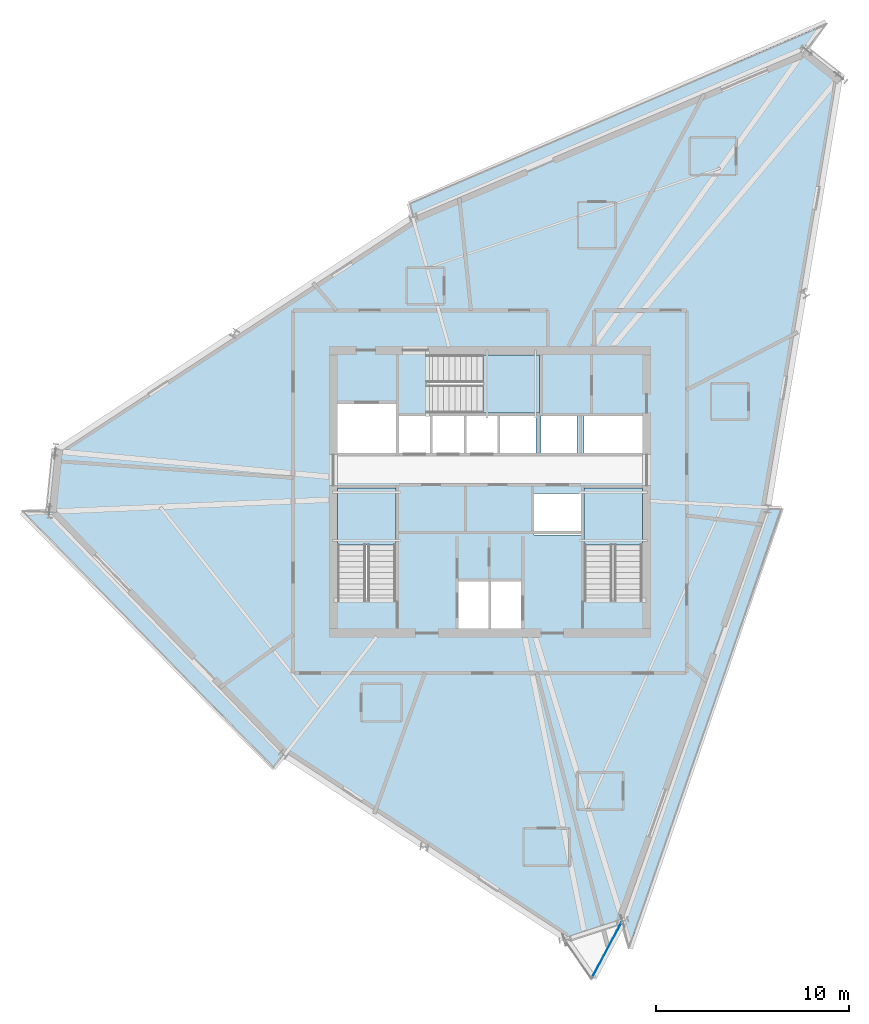
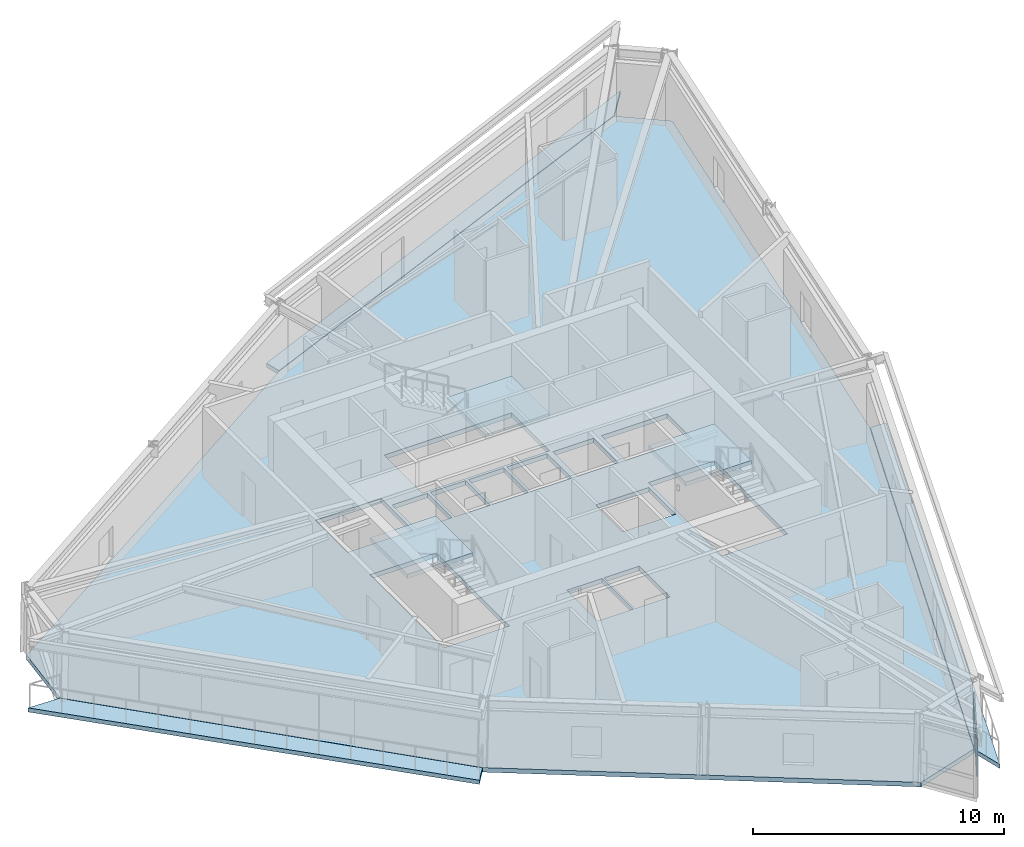
# One storey, part 4 of 13: 7 slabs, 1 plate, 4 elements without a shape of their own.
"""IFC4 building model written with IfcOpenShell, lengths in metres."""

from ifc_helpers import new_model, si_unit, direction, frame, origin, origin_2d, place, context, subcontext, project, spatial, polyline, rectangle, outline, extrude, source, transform, mapped, material, layer, layer_set, type_object, element, aggregate, save


model = new_model("IFC4")

# Units and contexts
model_context = context("Model", 3, precision=1e-05, world=origin(), true_north=direction((0.0, 1.0)))
body_context = subcontext(model_context, "Body", "Model", "MODEL_VIEW")
ifc_project = project(units=[si_unit("LENGTHUNIT", "METRE"), si_unit("AREAUNIT", "SQUARE_METRE"), si_unit("VOLUMEUNIT", "CUBIC_METRE"), si_unit("PLANEANGLEUNIT", "RADIAN"), si_unit("MASSUNIT", "GRAM", prefix="KILO")], contexts=[model_context])

# Site, building, storey
site_placement = place(None, origin())
site = spatial("IfcSite", under=ifc_project, at=site_placement, CompositionType="ELEMENT")
building_placement = place(site_placement, origin())
building = spatial("IfcBuilding", under=site, at=building_placement, Name="Olszyna Solenne Hotel", CompositionType="ELEMENT")
storey_placement = place(building_placement, frame((0.0, 0.0, 248.89990234375)))
storey = spatial("IfcBuildingStorey", under=building, at=storey_placement, Name="L66", CompositionType="ELEMENT", Elevation=248.89990234375)

# Stair, slab
ifc_material_1 = material(Name="Concrete C40/50", Category="concrete")
stair_type = type_object("IfcStairType", Name="STR-C1", PredefinedType="TWO_QUARTER_WINDING_STAIR", material=ifc_material_1)
stair_1_placement = place(storey_placement, origin())
stair_1 = element("IfcStair", 1, at=stair_1_placement, inside=storey, type_object=stair_type, Name="L66 ST1", PredefinedType="TWO_QUARTER_WINDING_STAIR")
ifc_layer_1 = layer(ifc_material_1, 0.18994140625, Name="Concrete C40/50")
ifc_layer_set_1 = layer_set([ifc_layer_1], Name="Concrete C40/50")
slab_type_1 = type_object("IfcSlabType", Name="SL-LN190", PredefinedType="LANDING", material=ifc_layer_set_1)
slab_1_placement = place(storey_placement, frame((0.0, 0.0, 1.60009765625)))
slab_1 = element("IfcSlab", 2, at=slab_1_placement, type_object=slab_type_1, Name="ST1 landing 1", PredefinedType="LANDING", context=body_context, shape_type="SweptSolid", body=[
    extrude(outline(polyline([(33.1201171875, 23.85009765625), (33.1201171875, 26.800048828125), (30.10009765625, 26.800048828125), (30.10009765625, 23.85009765625), (33.1201171875, 23.85009765625)])), origin(), (0.0, 0.0, 1.0), 0.199951171875),
])
aggregate(stair_1, [slab_1])

stair_2_placement = place(storey_placement, origin())
stair_2 = element("IfcStair", 3, at=stair_2_placement, inside=storey, type_object=stair_type, Name="L66 ST2", PredefinedType="TWO_QUARTER_WINDING_STAIR")
slab_2_placement = place(storey_placement, frame((0.0, 0.0, 1.60009765625)))
slab_2 = element("IfcSlab", 4, at=slab_2_placement, type_object=slab_type_1, Name="ST2 landing 1", PredefinedType="LANDING", context=body_context, shape_type="SweptSolid", body=[
    extrude(outline(polyline([(45.89990234375, 23.85009765625), (45.89990234375, 26.800048828125), (42.8798828125, 26.800048828125), (42.8798828125, 23.85009765625), (45.89990234375, 23.85009765625)])), origin(), (0.0, 0.0, 1.0), 0.199951171875),
])
aggregate(stair_2, [slab_2])

stair_3_placement = place(storey_placement, origin())
stair_3 = element("IfcStair", 5, at=stair_3_placement, inside=storey, type_object=stair_type, Name="L66 ST3", PredefinedType="TWO_QUARTER_WINDING_STAIR")
slab_3_placement = place(storey_placement, frame((0.0, 0.0, 1.60009765625)))
slab_3 = element("IfcSlab", 6, at=slab_3_placement, type_object=slab_type_1, Name="ST3 landing 1", PredefinedType="LANDING", context=body_context, shape_type="SweptSolid", body=[
    extrude(outline(polyline([(37.6298828125, 30.679931640625), (40.580078125, 30.679931640625), (40.580078125, 33.699951171875), (37.6298828125, 33.699951171875), (37.6298828125, 30.679931640625)])), origin(), (0.0, 0.0, 1.0), 0.199951171875),
])
aggregate(stair_3, [slab_3])

# Slabs
ifc_material_2 = material(Name="Precast concrete C45/55", Category="concrete")
ifc_layer_2 = layer(ifc_material_2, 0.199951171875, Name="Precast concrete C45/55")
ifc_layer_set_2 = layer_set([ifc_layer_2], Name="Precast concrete C45/55")
slab_type_2 = type_object("IfcSlabType", Name="SL-LOG200", PredefinedType="FLOOR", material=ifc_layer_set_2)
slab_4_placement = place(storey_placement, frame((0.0, 0.0, -0.199951171875)))
element("IfcSlab", 7, at=slab_4_placement, inside=storey, type_object=slab_type_2, Name="Exterior loggia balcony slab SL-L66-LG1", PredefinedType="FLOOR", context=body_context, shape_type="SweptSolid", body=[
    extrude(outline(polyline([(34.031982421875, 40.859619140625), (54.3935546875, 49.506591796875), (54.39501953125, 49.507080078125), (54.396240234375, 49.507568359375), (54.397705078125, 49.5078125), (54.399169921875, 49.5078125), (54.400634765625, 49.5078125), (54.402099609375, 49.507568359375), (54.403564453125, 49.507080078125), (54.40478515625, 49.506591796875), (54.40625, 49.506103515625), (54.407470703125, 49.50537109375), (54.40869140625, 49.504638671875), (55.49658203125, 50.895751953125), (33.858642578125, 41.5703125), (34.031982421875, 40.859619140625)])), origin(), (0.0, 0.0, 1.0), 0.199951171875),
])
slab_5_placement = place(storey_placement, frame((0.0, 0.0, -0.199951171875)))
element("IfcSlab", 8, at=slab_5_placement, inside=storey, type_object=slab_type_2, Name="Exterior loggia balcony slab SL-L66-LG2", PredefinedType="FLOOR", context=body_context, shape_type="SweptSolid", body=[
    extrude(outline(polyline([(27.272705078125, 12.974853515625), (27.272216796875, 12.97509765625), (27.27099609375, 12.976318359375), (15.13818359375, 25.5517578125), (15.137451171875, 25.552734375), (15.136474609375, 25.553955078125), (15.1357421875, 25.55517578125), (15.13525390625, 25.556396484375), (15.134765625, 25.557861328125), (15.134521484375, 25.559326171875), (15.13427734375, 25.560791015625), (15.134033203125, 25.562255859375), (15.134033203125, 25.5625), (13.697998046875, 25.60986328125), (26.7333984375, 12.285400390625), (27.272705078125, 12.974853515625)])), origin(), (0.0, 0.0, 1.0), 0.199951171875),
])
slab_6_placement = place(storey_placement, frame((0.0, 0.0, -0.199951171875)))
element("IfcSlab", 9, at=slab_6_placement, inside=storey, type_object=slab_type_2, Name="Exterior loggia balcony slab SL-L66-LG3", PredefinedType="FLOOR", context=body_context, shape_type="SweptSolid", body=[
    extrude(outline(polyline([(52.427001953125, 25.700927734375), (52.426513671875, 25.698974609375), (52.42626953125, 25.69775390625), (52.42578125, 25.696533203125), (44.869873046875, 4.329833984375), (44.869384765625, 4.328857421875), (44.868896484375, 4.327880859375), (44.861083984375, 4.31298828125), (45.209716796875, 2.88427734375), (53.13720703125, 25.677490234375), (52.427001953125, 25.700927734375)])), origin(), (0.0, 0.0, 1.0), 0.199951171875),
])
ifc_material_3 = material(Name="Concrete C50/60", Category="concrete")
ifc_layer_3 = layer(ifc_material_3, 0.219970703125, Name="Concrete C50/60")
ifc_layer_set_3 = layer_set([ifc_layer_3], Name="Concrete C50/60")
slab_type_3 = type_object("IfcSlabType", Name="SL-TW225", PredefinedType="FLOOR", material=ifc_layer_set_3)
slab_7_placement = place(storey_placement, frame((0.0, 0.0, -0.219970703125)))
element("IfcSlab", 10, at=slab_7_placement, inside=storey, type_object=slab_type_3, Name="Floor slab SL-TW225 SL-L66-01", PredefinedType="FLOOR", context=body_context, shape_type="SweptSolid", body=[
    extrude(outline(polyline([(56.240234375, 48.0390625), (54.3994140625, 49.492919921875), (34.03564453125, 40.844970703125), (15.48046875, 28.796142578125), (15.149169921875, 25.56201171875), (27.281982421875, 12.98681640625), (41.875, 3.375), (44.855712890625, 4.3349609375), (52.411865234375, 25.701416015625), (56.240234375, 48.0390625)]), holes=[polyline([(30.10009765625, 20.949951171875), (33.1201171875, 20.949951171875), (33.1201171875, 26.800048828125), (30.10009765625, 26.800048828125), (30.10009765625, 20.949951171875)]), polyline([(42.8798828125, 20.949951171875), (45.89990234375, 20.949951171875), (45.89990234375, 26.800048828125), (42.8798828125, 26.800048828125), (42.8798828125, 20.949951171875)]), polyline([(34.72998046875, 30.679931640625), (40.580078125, 30.679931640625), (40.580078125, 33.699951171875), (34.72998046875, 33.699951171875), (34.72998046875, 30.679931640625)]), polyline([(36.340087890625, 19.5), (37.9599609375, 19.5), (37.9599609375, 21.9599609375), (36.340087890625, 21.9599609375), (36.340087890625, 19.5)]), polyline([(38.0400390625, 19.5), (39.659912109375, 19.5), (39.659912109375, 21.9599609375), (38.0400390625, 21.9599609375), (38.0400390625, 19.5)]), polyline([(30.10009765625, 28.60009765625), (33.1201171875, 28.60009765625), (33.1201171875, 31.159912109375), (30.10009765625, 31.159912109375), (30.10009765625, 28.60009765625)]), polyline([(40.280029296875, 24.360107421875), (42.719970703125, 24.360107421875), (42.719970703125, 26.5), (40.280029296875, 26.5), (40.280029296875, 24.360107421875)]), polyline([(33.280029296875, 28.60009765625), (34.89990234375, 28.60009765625), (34.89990234375, 30.550048828125), (33.280029296875, 30.550048828125), (33.280029296875, 28.60009765625)]), polyline([(35.030029296875, 28.60009765625), (36.64990234375, 28.60009765625), (36.64990234375, 30.550048828125), (35.030029296875, 30.550048828125), (35.030029296875, 28.60009765625)]), polyline([(36.780029296875, 28.60009765625), (38.39990234375, 28.60009765625), (38.39990234375, 30.550048828125), (36.780029296875, 30.550048828125), (36.780029296875, 28.60009765625)]), polyline([(38.530029296875, 28.60009765625), (40.389892578125, 28.60009765625), (40.389892578125, 30.550048828125), (38.530029296875, 30.550048828125), (38.530029296875, 28.60009765625)]), polyline([(40.659912109375, 28.60009765625), (42.52001953125, 28.60009765625), (42.52001953125, 30.550048828125), (40.659912109375, 30.550048828125), (40.659912109375, 28.60009765625)]), polyline([(42.8798828125, 28.60009765625), (45.89990234375, 28.60009765625), (45.89990234375, 30.550048828125), (42.8798828125, 30.550048828125), (42.8798828125, 28.60009765625)])]), origin(), (0.0, 0.0, 1.0), 0.219970703125),
])

# Curtain wall, plate
ifc_material_4 = material(Name="Anodised bronze aluminium", Category="aluminium")
curtain_wall_type = type_object("IfcCurtainWallType", Name="CW-SYS-5", PredefinedType="NOTDEFINED", material=ifc_material_4)
curtain_wall_placement = place(storey_placement, origin())
curtain_wall = element("IfcCurtainWall", 11, at=curtain_wall_placement, inside=storey, type_object=curtain_wall_type, Name="Unitised curtain wall CW-SYS-5 CW-L66-01", PredefinedType="NOTDEFINED")
ifc_material_5 = material(Name="Low-E triple glazing", Category="glass")
plate_type = type_object("IfcPlateType", Name="PN-PR1", PredefinedType="CURTAIN_PANEL", material=ifc_material_5)
shared_shape = source(origin(), body_context, "Body", "SweptSolid", [
    extrude(rectangle(XDim=3.231689453125, YDim=0.028076171875, at=origin_2d()), origin(), (0.0, 0.0, 1.0), 1.8095703125),
])
plate_placement = place(storey_placement, frame((44.05859375, 2.84375, 0.987548828125), z_axis=(0.0, 0.0, 1.0), x_axis=(0.4714490466, 0.881893302197, 0.0)))
plate = element("IfcPlate", 12, at=plate_placement, type_object=plate_type, Name="Curtain-wall panel PN-PR1 CP-L66-01-02", PredefinedType="CURTAIN_PANEL", context=body_context, shape_type="MappedRepresentation", body=[
    mapped(shared_shape, transform((0.0, 0.0, 0.0), x_axis=(1.0, 0.0, 0.0), y_axis=(0.0, 1.0, 0.0), z_axis=(0.0, 0.0, 1.0), scale=1.0)),
])
aggregate(curtain_wall, [plate])

save(model, "model.ifc")
